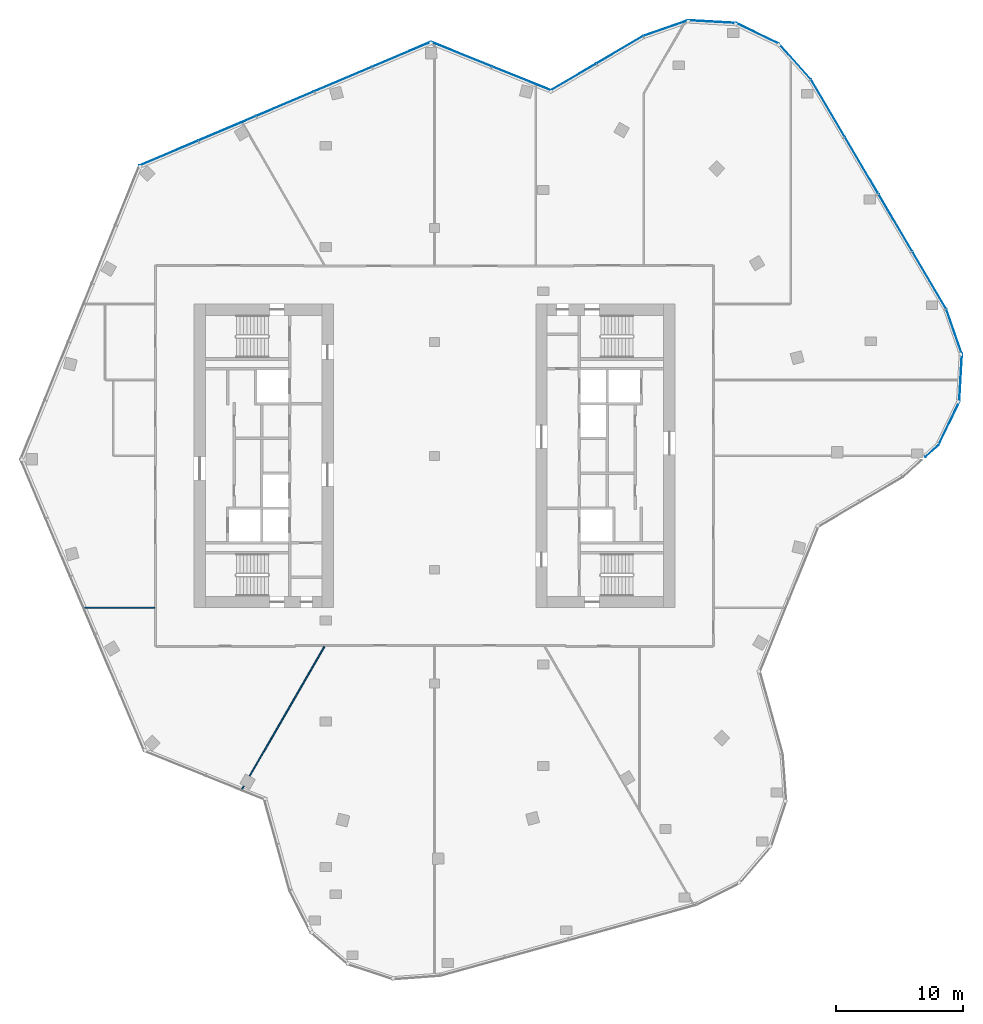
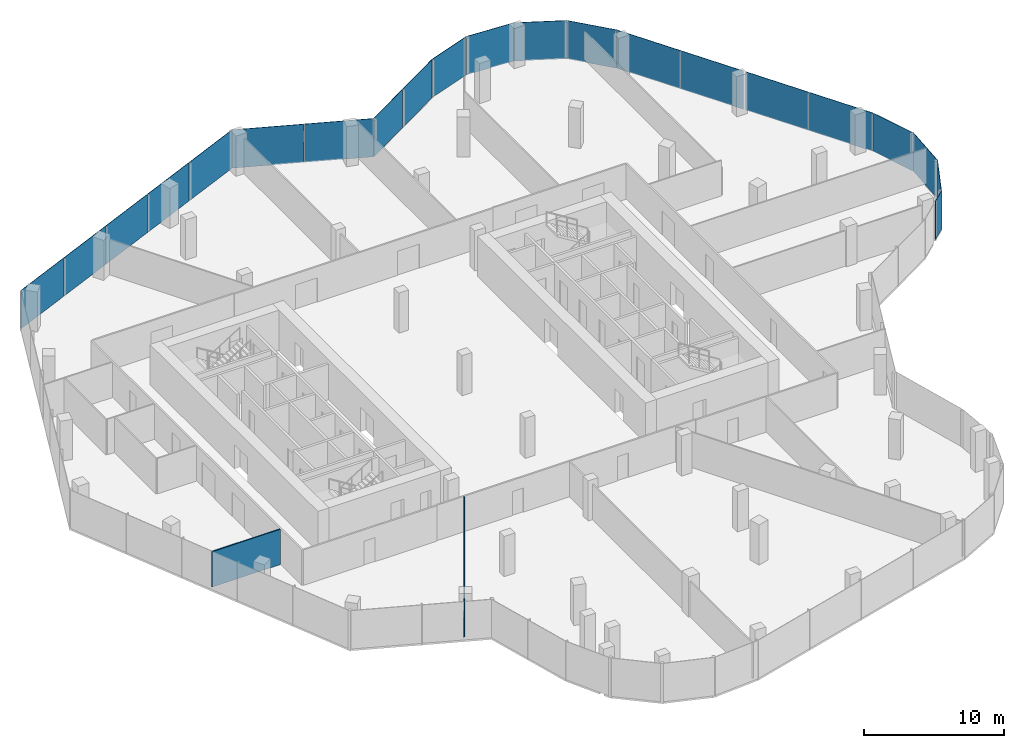
# One storey, part 11 of 16: 21 plates, 2 walls, 12 elements without a shape of their own.
"""IFC4 building model written with IfcOpenShell, lengths in metres."""

import ifcopenshell
import ifcopenshell.guid

model = None  # the IFC model being written
_history = None  # IfcOwnerHistory: only IFC2X3 demands one
_inside = {}  # id of a spatial element -> (the spatial element, [elements in it])
_under = {}  # id of a project, library or spatial element -> (it, [spatial elements below it])
_declared = {}  # id of a project -> (the project, [libraries it declares])
_typed = {}  # id of a type object -> (the type object, [elements of that type])
_made_of = {}  # id of a material, layer set ... -> (it, [elements and type objects made of it])


def new_model(schema):
    """Start an empty IFC model of exactly this schema.

    Asked for "IFC4X3", IfcOpenShell would pick the latest addendum, in which some entities
    have other attributes; the version numbers below select the first issue.
    IFC2X3 requires an IfcOwnerHistory on every rooted entity: one is made here for all.
    """
    global model, _history
    if schema == "IFC4X3":
        model = ifcopenshell.file(schema_version=(4, 3, 0, 0))
    else:
        model = ifcopenshell.file(schema=schema)
    _inside.clear()
    _under.clear()
    _declared.clear()
    _typed.clear()
    _made_of.clear()
    _history = None
    if model.schema == "IFC2X3":
        org = make("IfcOrganization", Name="unknown")
        user = make(
            "IfcPersonAndOrganization",
            ThePerson=make("IfcPerson", FamilyName="unknown"),
            TheOrganization=org,
        )
        app = make(
            "IfcApplication",
            ApplicationDeveloper=org,
            Version="unknown",
            ApplicationFullName="unknown",
            ApplicationIdentifier="unknown",
        )
        _history = make(
            "IfcOwnerHistory",
            OwningUser=user,
            OwningApplication=app,
            ChangeAction="ADDED",
            CreationDate=0,
        )
    return model


def make(cls, **values):
    """One entity of the class cls with the attributes given. An attribute that is None is left unset."""
    return model.create_entity(
        cls, **{name: value for name, value in values.items() if value is not None}
    )


def rooted(cls, **values):
    """An entity with a GlobalId (a new one), such as an element, a storey or a relation."""
    return make(cls, GlobalId=ifcopenshell.guid.new(), OwnerHistory=_history, **values)


def si_unit(unit_type, name, prefix=None):
    """IfcSIUnit, for example si_unit("LENGTHUNIT", "METRE", prefix="MILLI")."""
    return make("IfcSIUnit", UnitType=unit_type, Prefix=prefix, Name=name)


def assignment(units):
    """IfcUnitAssignment: the units of a project."""
    return None if units is None else make("IfcUnitAssignment", Units=units)


def point(xyz):
    """IfcCartesianPoint."""
    return None if xyz is None else make("IfcCartesianPoint", Coordinates=xyz)


def direction(xyz):
    """IfcDirection."""
    return None if xyz is None else make("IfcDirection", DirectionRatios=xyz)


def frame(location, z_axis=None, x_axis=None):
    """IfcAxis2Placement3D, a coordinate frame: its origin and axes. An axis left out is left unset."""
    return make(
        "IfcAxis2Placement3D",
        Location=point(location),
        Axis=direction(z_axis),
        RefDirection=direction(x_axis),
    )


def frame_2d(location, x_axis=None):
    """IfcAxis2Placement2D, a coordinate frame in the plane: its origin and x axis."""
    return make(
        "IfcAxis2Placement2D", Location=point(location), RefDirection=direction(x_axis)
    )


def origin():
    """The frame at (0, 0, 0) with its axes left unset."""
    return frame((0.0, 0.0, 0.0))


def origin_2d():
    """The frame at (0, 0) in the plane with its x axis left unset."""
    return frame_2d((0.0, 0.0))


def place(relative_to, where):
    """IfcLocalPlacement: puts the frame where relative to a parent placement (None: the world)."""
    return make(
        "IfcLocalPlacement", PlacementRelTo=relative_to, RelativePlacement=where
    )


def context(
    kind, dimensions, precision=None, world=None, true_north=None, identifier=None
):
    """IfcGeometricRepresentationContext, for example the 3D "Model" context."""
    return make(
        "IfcGeometricRepresentationContext",
        ContextIdentifier=identifier,
        ContextType=kind,
        CoordinateSpaceDimension=dimensions,
        Precision=precision,
        WorldCoordinateSystem=world,
        TrueNorth=true_north,
    )


def subcontext(parent, identifier, kind, view, scale=None):
    """IfcGeometricRepresentationSubContext, for example "Body" below "Model"."""
    return make(
        "IfcGeometricRepresentationSubContext",
        ContextIdentifier=identifier,
        ContextType=kind,
        ParentContext=parent,
        TargetScale=scale,
        TargetView=view,
    )


def project(units=None, contexts=None):
    """IfcProject with its units and contexts."""
    return rooted(
        "IfcProject",
        Name="project",
        RepresentationContexts=contexts,
        UnitsInContext=assignment(units),
    )


def spatial(cls, under=None, at=None, **own):
    """A site, building, storey or space (cls), placed at a placement, below another one or the project."""
    s = rooted(cls, ObjectPlacement=at, **own)
    if under is not None:
        _under.setdefault(under.id(), (under, []))[1].append(s)
    return s


def profile(cls, at=None, kind="AREA", **sizes):
    """A parametric profile (cls). Its sizes go by their IFC names, for example OverallWidth=200.0."""
    return make(cls, ProfileType=kind, Position=at, **sizes)


def rectangle(**sizes):
    """IfcRectangleProfileDef."""
    return profile("IfcRectangleProfileDef", **sizes)


def extrude(swept, where, along, depth):
    """IfcExtrudedAreaSolid: the profile swept, set in the frame where, extruded along a direction by depth."""
    return make(
        "IfcExtrudedAreaSolid",
        SweptArea=swept,
        Position=where,
        ExtrudedDirection=direction(along),
        Depth=depth,
    )


def shape(context_of_items, identifier, shape_type, items):
    """IfcShapeRepresentation: the items that make up one representation, for example the "Body"."""
    return make(
        "IfcShapeRepresentation",
        ContextOfItems=context_of_items,
        RepresentationIdentifier=identifier,
        RepresentationType=shape_type,
        Items=items,
    )


def material(Name=None, Category=None):
    """IfcMaterial."""
    return make("IfcMaterial", Name=Name, Category=Category)


def layer(
    of_material, thickness, ventilated=None, Name=None, Category=None, Priority=None
):
    """IfcMaterialLayer: one layer of a wall or slab, of a material (None: an air gap)."""
    return make(
        "IfcMaterialLayer",
        Material=of_material,
        LayerThickness=thickness,
        IsVentilated=ventilated,
        Name=Name,
        Category=Category,
        Priority=Priority,
    )


def layer_set(layers, Name=None):
    """IfcMaterialLayerSet."""
    return make("IfcMaterialLayerSet", MaterialLayers=layers, LayerSetName=Name)


def made_of(thing, what):
    """Note that an element or type object is made of a material, layer set ...; save() writes the relation."""
    if what is not None:
        _made_of.setdefault(what.id(), (what, []))[1].append(thing)
    return thing


def type_object(cls, material=None, **own):
    """A type object (cls), such as IfcWallType, which elements share."""
    return made_of(rooted(cls, **own), material)


def element(
    cls,
    number,
    at=None,
    inside=None,
    cuts=None,
    type_object=None,
    material=None,
    context=None,
    identifier="Body",
    shape_type=None,
    held_by="IfcProductDefinitionShape",
    body=None,
    shapes=None,
    **own,
):
    """One element of the class cls, such as IfcWall. Its Tag is "e" and its number.

    at: its placement. inside: the storey or other place that contains it. cuts: it is an
    opening in that element (IfcRelVoidsElement). A single representation is given by context,
    identifier, shape_type and body (its items); several are given by shapes. held_by: the class
    of the entity that holds the representations. save() writes the other relations.
    """
    e = rooted(cls, Tag="e%d" % number, ObjectPlacement=at, **own)
    if body is not None:
        shapes = [shape(context, identifier, shape_type, body)]
    if shapes is not None:
        e.Representation = make(held_by, Representations=shapes)
    if inside is not None:
        _inside.setdefault(inside.id(), (inside, []))[1].append(e)
    if cuts is not None:
        rooted(
            "IfcRelVoidsElement", RelatingBuildingElement=cuts, RelatedOpeningElement=e
        )
    if type_object is not None:
        _typed.setdefault(type_object.id(), (type_object, []))[1].append(e)
    return made_of(e, material)


def aggregate(whole, parts):
    """IfcRelAggregates: a whole, such as a stair, and the parts it consists of."""
    return rooted("IfcRelAggregates", RelatingObject=whole, RelatedObjects=parts)


def save(model, path):
    """Write the relations noted so far, then the file.

    IfcRelAggregates (storeys below a building ...), IfcRelContainedInSpatialStructure (elements
    in a storey), IfcRelDefinesByType, IfcRelAssociatesMaterial and IfcRelDeclares: one each for
    every whole, place, type object, material and project.
    """
    for whole, parts in _under.values():
        aggregate(whole, parts)
    for where, things in _inside.values():
        rooted(
            "IfcRelContainedInSpatialStructure",
            RelatedElements=things,
            RelatingStructure=where,
        )
    for kind, things in _typed.values():
        rooted("IfcRelDefinesByType", RelatedObjects=things, RelatingType=kind)
    for what, things in _made_of.values():
        rooted("IfcRelAssociatesMaterial", RelatedObjects=things, RelatingMaterial=what)
    for by, libraries in _declared.values():
        rooted("IfcRelDeclares", RelatingContext=by, RelatedDefinitions=libraries)
    model.write(path)


model = new_model("IFC4")

# Units and contexts
model_context = context("Model", 3, precision=1e-05, world=origin(), true_north=direction((0.0, 1.0)))
body_context = subcontext(model_context, "Body", "Model", "MODEL_VIEW")
ifc_project = project(units=[si_unit("LENGTHUNIT", "METRE"), si_unit("AREAUNIT", "SQUARE_METRE"), si_unit("VOLUMEUNIT", "CUBIC_METRE"), si_unit("PLANEANGLEUNIT", "RADIAN"), si_unit("MASSUNIT", "GRAM", prefix="KILO")], contexts=[model_context])

# Site, building, storey
site_placement = place(None, origin())
site = spatial("IfcSite", under=ifc_project, at=site_placement, CompositionType="ELEMENT")
building_placement = place(site_placement, origin())
building = spatial("IfcBuilding", under=site, at=building_placement, Name="Orlundy Tower", CompositionType="ELEMENT")
storey_placement = place(building_placement, frame((0.0, 0.0, 285.89990234375)))
storey = spatial("IfcBuildingStorey", under=building, at=storey_placement, Name="L76", CompositionType="ELEMENT", Elevation=285.89990234375)

# Curtain wall, plates
ifc_material_1 = material(Name="Aluminium bronze anodised", Category="aluminium")
curtain_wall_type = type_object("IfcCurtainWallType", Name="CW6 wall", PredefinedType="NOTDEFINED", material=ifc_material_1)
curtain_wall_1_placement = place(storey_placement, origin())
curtain_wall_1 = element("IfcCurtainWall", 1, at=curtain_wall_1_placement, inside=storey, type_object=curtain_wall_type, Name="CW6 run 016", PredefinedType="NOTDEFINED")
ifc_material_2 = material(Name="Tinted glass", Category="glass")
ifc_layer_1 = layer(ifc_material_2, 0.035888671875)
ifc_layer_set_1 = layer_set([ifc_layer_1], Name="CW6 glass panel 36")
plate_type = type_object("IfcPlateType", Name="CW6 glass panel 36", PredefinedType="CURTAIN_PANEL", material=ifc_layer_set_1)
plate_1_placement = place(storey_placement, frame((-21.013671875, 23.91259765625, -0.23974609375), z_axis=(0.0, 0.0, 1.0), x_axis=(0.920506804854, 0.390726531244, 0.0)))
plate_1 = element("IfcPlate", 2, at=plate_1_placement, type_object=plate_type, Name="CW6 panel", PredefinedType="CURTAIN_PANEL", context=body_context, shape_type="SweptSolid", body=[
    extrude(rectangle(XDim=5.03759765625, YDim=0.035888671875, at=origin_2d()), origin(), (0.0, 0.0, 1.0), 3.340087890625),
])
plate_2_placement = place(storey_placement, frame((-16.38427734375, 25.877685546875, -0.23974609375), z_axis=(0.0, 0.0, 1.0), x_axis=(0.920506804854, 0.390726531244, 0.0)))
plate_2 = element("IfcPlate", 3, at=plate_2_placement, type_object=plate_type, Name="CW6 panel", PredefinedType="CURTAIN_PANEL", context=body_context, shape_type="SweptSolid", body=[
    extrude(rectangle(XDim=4.920654296875, YDim=0.035888671875, at=origin_2d()), origin(), (0.0, 0.0, 1.0), 3.340087890625),
])
plate_3_placement = place(storey_placement, frame((-11.808837890625, 27.81982421875, -0.23974609375), z_axis=(0.0, 0.0, 1.0), x_axis=(0.920506804854, 0.390726531244, 0.0)))
plate_3 = element("IfcPlate", 4, at=plate_3_placement, type_object=plate_type, Name="CW6 panel", PredefinedType="CURTAIN_PANEL", context=body_context, shape_type="SweptSolid", body=[
    extrude(rectangle(XDim=4.920654296875, YDim=0.035888671875, at=origin_2d()), origin(), (0.0, 0.0, 1.0), 3.340087890625),
])
plate_4_placement = place(storey_placement, frame((-7.233154296875, 29.761962890625, -0.23974609375), z_axis=(0.0, 0.0, 1.0), x_axis=(0.920506804854, 0.390726531244, 0.0)))
plate_4 = element("IfcPlate", 5, at=plate_4_placement, type_object=plate_type, Name="CW6 panel", PredefinedType="CURTAIN_PANEL", context=body_context, shape_type="SweptSolid", body=[
    extrude(rectangle(XDim=4.920654296875, YDim=0.035888671875, at=origin_2d()), origin(), (0.0, 0.0, 1.0), 3.340087890625),
])
plate_5_placement = place(storey_placement, frame((-2.603759765625, 31.72705078125, -0.23974609375), z_axis=(0.0, 0.0, 1.0), x_axis=(0.920506804854, 0.390726531244, 0.0)))
plate_5 = element("IfcPlate", 6, at=plate_5_placement, type_object=plate_type, Name="CW6 panel", PredefinedType="CURTAIN_PANEL", context=body_context, shape_type="SweptSolid", body=[
    extrude(rectangle(XDim=5.03759765625, YDim=0.035888671875, at=origin_2d()), origin(), (0.0, 0.0, 1.0), 3.340087890625),
])
aggregate(curtain_wall_1, [plate_1, plate_2, plate_3, plate_4, plate_5])

curtain_wall_2_placement = place(storey_placement, origin())
curtain_wall_2 = element("IfcCurtainWall", 7, at=curtain_wall_2_placement, inside=storey, type_object=curtain_wall_type, Name="CW6 run 017", PredefinedType="NOTDEFINED")
plate_6_placement = place(storey_placement, frame((2.11865234375, 31.739990234375, -0.23974609375), z_axis=(0.0, 0.0, 1.0), x_axis=(0.927170719858, -0.374639101319, 0.0)))
plate_6 = element("IfcPlate", 8, at=plate_6_placement, type_object=plate_type, Name="CW6 panel", PredefinedType="CURTAIN_PANEL", context=body_context, shape_type="SweptSolid", body=[
    extrude(rectangle(XDim=5.185302734375, YDim=0.035888671875, at=origin_2d()), origin(), (0.0, 0.0, 1.0), 3.340087890625),
])
plate_7_placement = place(storey_placement, frame((6.879150390625, 29.81640625, -0.23974609375), z_axis=(0.0, 0.0, 1.0), x_axis=(0.927170719858, -0.374639101319, 0.0)))
plate_7 = element("IfcPlate", 9, at=plate_7_placement, type_object=plate_type, Name="CW6 panel", PredefinedType="CURTAIN_PANEL", context=body_context, shape_type="SweptSolid", body=[
    extrude(rectangle(XDim=4.98388671875, YDim=0.035888671875, at=origin_2d()), origin(), (0.0, 0.0, 1.0), 3.340087890625),
])
aggregate(curtain_wall_2, [plate_6, plate_7])

curtain_wall_3_placement = place(storey_placement, origin())
curtain_wall_3 = element("IfcCurtainWall", 10, at=curtain_wall_3_placement, inside=storey, type_object=curtain_wall_type, Name="CW6 run 018", PredefinedType="NOTDEFINED")
plate_8_placement = place(storey_placement, frame((10.9697265625, 29.93115234375, -0.23974609375), z_axis=(0.0, 0.0, 1.0), x_axis=(0.861662932394, 0.5074810252, 0.0)))
plate_8 = element("IfcPlate", 11, at=plate_8_placement, type_object=plate_type, Name="CW6 panel", PredefinedType="CURTAIN_PANEL", context=body_context, shape_type="SweptSolid", body=[
    extrude(rectangle(XDim=4.131591796875, YDim=0.035888671875, at=origin_2d()), origin(), (0.0, 0.0, 1.0), 3.340087890625),
])
plate_9_placement = place(storey_placement, frame((14.61865234375, 32.080322265625, -0.23974609375), z_axis=(0.0, 0.0, 1.0), x_axis=(0.861662932394, 0.5074810252, 0.0)))
plate_9 = element("IfcPlate", 12, at=plate_9_placement, type_object=plate_type, Name="CW6 panel", PredefinedType="CURTAIN_PANEL", context=body_context, shape_type="SweptSolid", body=[
    extrude(rectangle(XDim=4.23779296875, YDim=0.035888671875, at=origin_2d()), origin(), (0.0, 0.0, 1.0), 3.340087890625),
])
aggregate(curtain_wall_3, [plate_8, plate_9])

# Curtain wall, plate
curtain_wall_4_placement = place(storey_placement, origin())
curtain_wall_4 = element("IfcCurtainWall", 13, at=curtain_wall_4_placement, inside=storey, type_object=curtain_wall_type, Name="CW6 run 019", PredefinedType="NOTDEFINED")
plate_10_placement = place(storey_placement, frame((18.2587890625, 33.79443359375, -0.23974609375), z_axis=(0.0, 0.0, 1.0), x_axis=(0.944081083956, 0.32971337085, 0.0)))
plate_10 = element("IfcPlate", 14, at=plate_10_placement, type_object=plate_type, Name="CW6 panel", PredefinedType="CURTAIN_PANEL", context=body_context, shape_type="SweptSolid", body=[
    extrude(rectangle(XDim=3.7470703125, YDim=0.035888671875, at=origin_2d()), origin(), (0.0, 0.0, 1.0), 3.340087890625),
])
aggregate(curtain_wall_4, [plate_10])

curtain_wall_5_placement = place(storey_placement, origin())
curtain_wall_5 = element("IfcCurtainWall", 15, at=curtain_wall_5_placement, inside=storey, type_object=curtain_wall_type, Name="CW6 run 020", PredefinedType="NOTDEFINED")
plate_11_placement = place(storey_placement, frame((21.922119140625, 34.3046875, -0.23974609375), z_axis=(0.0, 0.0, 1.0), x_axis=(0.998394082315, -0.056650299193, 0.0)))
plate_11 = element("IfcPlate", 16, at=plate_11_placement, type_object=plate_type, Name="CW6 panel", PredefinedType="CURTAIN_PANEL", context=body_context, shape_type="SweptSolid", body=[
    extrude(rectangle(XDim=3.795166015625, YDim=0.035888671875, at=origin_2d()), origin(), (0.0, 0.0, 1.0), 3.340087890625),
])
aggregate(curtain_wall_5, [plate_11])

curtain_wall_6_placement = place(storey_placement, origin())
curtain_wall_6 = element("IfcCurtainWall", 17, at=curtain_wall_6_placement, inside=storey, type_object=curtain_wall_type, Name="CW6 run 021", PredefinedType="NOTDEFINED")
plate_12_placement = place(storey_placement, frame((25.52587890625, 33.373046875, -0.23974609375), z_axis=(0.0, 0.0, 1.0), x_axis=(0.900755489188, -0.434326546158, 0.0)))
plate_12 = element("IfcPlate", 18, at=plate_12_placement, type_object=plate_type, Name="CW6 panel", PredefinedType="CURTAIN_PANEL", context=body_context, shape_type="SweptSolid", body=[
    extrude(rectangle(XDim=3.795166015625, YDim=0.035888671875, at=origin_2d()), origin(), (0.0, 0.0, 1.0), 3.340087890625),
])
aggregate(curtain_wall_6, [plate_12])

curtain_wall_7_placement = place(storey_placement, origin())
curtain_wall_7 = element("IfcCurtainWall", 19, at=curtain_wall_7_placement, inside=storey, type_object=curtain_wall_type, Name="CW6 run 022", PredefinedType="NOTDEFINED")
plate_13_placement = place(storey_placement, frame((28.48291015625, 31.150390625, -0.23974609375), z_axis=(0.0, 0.0, 1.0), x_axis=(0.665769138425, -0.746157794518, 0.0)))
plate_13 = element("IfcPlate", 20, at=plate_13_placement, type_object=plate_type, Name="CW6 panel", PredefinedType="CURTAIN_PANEL", context=body_context, shape_type="SweptSolid", body=[
    extrude(rectangle(XDim=3.747802734375, YDim=0.035888671875, at=origin_2d()), origin(), (0.0, 0.0, 1.0), 3.340087890625),
])
aggregate(curtain_wall_7, [plate_13])

# Curtain wall, plates
curtain_wall_8_placement = place(storey_placement, origin())
curtain_wall_8 = element("IfcCurtainWall", 21, at=curtain_wall_8_placement, inside=storey, type_object=curtain_wall_type, Name="CW6 run 023", PredefinedType="NOTDEFINED")
plate_14_placement = place(storey_placement, frame((31.0849609375, 27.46240234375, -0.23974609375), z_axis=(0.0, 0.0, 1.0), x_axis=(0.507531980737, -0.861632919827, 0.0)))
plate_14 = element("IfcPlate", 22, at=plate_14_placement, type_object=plate_type, Name="CW6 panel", PredefinedType="CURTAIN_PANEL", context=body_context, shape_type="SweptSolid", body=[
    extrude(rectangle(XDim=5.2216796875, YDim=0.035888671875, at=origin_2d()), origin(), (0.0, 0.0, 1.0), 3.340087890625),
])
plate_15_placement = place(storey_placement, frame((33.72216796875, 22.9853515625, -0.23974609375), z_axis=(0.0, 0.0, 1.0), x_axis=(0.507531980737, -0.861632919827, 0.0)))
plate_15 = element("IfcPlate", 23, at=plate_15_placement, type_object=plate_type, Name="CW6 panel", PredefinedType="CURTAIN_PANEL", context=body_context, shape_type="SweptSolid", body=[
    extrude(rectangle(XDim=5.070068359375, YDim=0.035888671875, at=origin_2d()), origin(), (0.0, 0.0, 1.0), 3.340087890625),
])
plate_16_placement = place(storey_placement, frame((36.41943359375, 18.406005859375, -0.23974609375), z_axis=(0.0, 0.0, 1.0), x_axis=(0.507531980737, -0.861632919827, 0.0)))
plate_16 = element("IfcPlate", 24, at=plate_16_placement, type_object=plate_type, Name="CW6 panel", PredefinedType="CURTAIN_PANEL", context=body_context, shape_type="SweptSolid", body=[
    extrude(rectangle(XDim=5.199951171875, YDim=0.035888671875, at=origin_2d()), origin(), (0.0, 0.0, 1.0), 3.340087890625),
])
plate_17_placement = place(storey_placement, frame((39.089599609375, 13.873046875, -0.23974609375), z_axis=(0.0, 0.0, 1.0), x_axis=(0.507531980737, -0.861632919827, 0.0)))
plate_17 = element("IfcPlate", 25, at=plate_17_placement, type_object=plate_type, Name="CW6 panel", PredefinedType="CURTAIN_PANEL", context=body_context, shape_type="SweptSolid", body=[
    extrude(rectangle(XDim=5.2216796875, YDim=0.035888671875, at=origin_2d()), origin(), (0.0, 0.0, 1.0), 3.340087890625),
])
aggregate(curtain_wall_8, [plate_14, plate_15, plate_16, plate_17])

# Curtain wall, plate
curtain_wall_9_placement = place(storey_placement, origin())
curtain_wall_9 = element("IfcCurtainWall", 26, at=curtain_wall_9_placement, inside=storey, type_object=curtain_wall_type, Name="CW6 run 024", PredefinedType="NOTDEFINED")
plate_18_placement = place(storey_placement, frame((41.053466796875, 9.809326171875, -0.23974609375), z_axis=(0.0, 0.0, 1.0), x_axis=(0.32971337085, -0.944081083956, 0.0)))
plate_18 = element("IfcPlate", 27, at=plate_18_placement, type_object=plate_type, Name="CW6 panel", PredefinedType="CURTAIN_PANEL", context=body_context, shape_type="SweptSolid", body=[
    extrude(rectangle(XDim=3.7470703125, YDim=0.035888671875, at=origin_2d()), origin(), (0.0, 0.0, 1.0), 3.340087890625),
])
aggregate(curtain_wall_9, [plate_18])

curtain_wall_10_placement = place(storey_placement, origin())
curtain_wall_10 = element("IfcCurtainWall", 28, at=curtain_wall_10_placement, inside=storey, type_object=curtain_wall_type, Name="CW6 run 025", PredefinedType="NOTDEFINED")
plate_19_placement = place(storey_placement, frame((41.563720703125, 6.14599609375, -0.23974609375), z_axis=(0.0, 0.0, 1.0), x_axis=(-0.056650299193, -0.998394082315, 0.0)))
plate_19 = element("IfcPlate", 29, at=plate_19_placement, type_object=plate_type, Name="CW6 panel", PredefinedType="CURTAIN_PANEL", context=body_context, shape_type="SweptSolid", body=[
    extrude(rectangle(XDim=3.795166015625, YDim=0.035888671875, at=origin_2d()), origin(), (0.0, 0.0, 1.0), 3.340087890625),
])
aggregate(curtain_wall_10, [plate_19])

curtain_wall_11_placement = place(storey_placement, origin())
curtain_wall_11 = element("IfcCurtainWall", 30, at=curtain_wall_11_placement, inside=storey, type_object=curtain_wall_type, Name="CW6 run 026", PredefinedType="NOTDEFINED")
plate_20_placement = place(storey_placement, frame((40.632080078125, 2.5419921875, -0.23974609375), z_axis=(0.0, 0.0, 1.0), x_axis=(-0.434326546158, -0.900755489188, 0.0)))
plate_20 = element("IfcPlate", 31, at=plate_20_placement, type_object=plate_type, Name="CW6 panel", PredefinedType="CURTAIN_PANEL", context=body_context, shape_type="SweptSolid", body=[
    extrude(rectangle(XDim=3.795166015625, YDim=0.035888671875, at=origin_2d()), origin(), (0.0, 0.0, 1.0), 3.340087890625),
])
aggregate(curtain_wall_11, [plate_20])

curtain_wall_12_placement = place(storey_placement, origin())
curtain_wall_12 = element("IfcCurtainWall", 32, at=curtain_wall_12_placement, inside=storey, type_object=curtain_wall_type, Name="CW6 run 027", PredefinedType="NOTDEFINED")
plate_21_placement = place(storey_placement, frame((39.29296875, 0.373291015625, -0.23974609375), z_axis=(0.0, 0.0, 1.0), x_axis=(-0.746157794518, -0.665769138425, 0.0)))
plate_21 = element("IfcPlate", 33, at=plate_21_placement, type_object=plate_type, Name="CW6 panel", PredefinedType="CURTAIN_PANEL", context=body_context, shape_type="SweptSolid", body=[
    extrude(rectangle(XDim=1.380126953125, YDim=0.035888671875, at=origin_2d()), origin(), (0.0, 0.0, 1.0), 3.340087890625),
])
aggregate(curtain_wall_12, [plate_21])

# Walls
ifc_material_3 = material(Name="Gypsum board partition")
ifc_layer_2 = layer(ifc_material_3, 0.10009765625)
ifc_layer_set_2 = layer_set([ifc_layer_2], Name="Floor partition 100")
wall_type = type_object("IfcWallType", Name="Floor partition 100", PredefinedType="PARTITIONING", material=ifc_layer_set_2)
wall_1_placement = place(storey_placement, frame((-27.76904296875, -12.0, 0.0), z_axis=(0.0, 0.0, 1.0), x_axis=(1.0, 0.0, 0.0)))
element("IfcWall", 34, at=wall_1_placement, inside=storey, type_object=wall_type, Name="wall-int-L76-006", PredefinedType="PARTITIONING", context=body_context, shape_type="SweptSolid", body=[
    extrude(rectangle(XDim=5.656005859375, YDim=0.10009765625, at=frame_2d((2.828125, 0.0))), origin(), (0.0, 0.0, 1.0), 3.080078125),
])
wall_2_placement = place(storey_placement, frame((-15.27392578125, -26.455078125, 0.0), z_axis=(0.0, 0.0, 1.0), x_axis=(0.499992441188, 0.866029767822, 0.0)))
element("IfcWall", 35, at=wall_2_placement, inside=storey, type_object=wall_type, Name="wall-int-L76-017", PredefinedType="PARTITIONING", context=body_context, shape_type="SweptSolid", body=[
    extrude(rectangle(XDim=13.124267578125, YDim=0.10009765625, at=frame_2d((6.56201171875, 0.0))), origin(), (0.0, 0.0, 1.0), 3.080078125),
])

save(model, "model.ifc")
